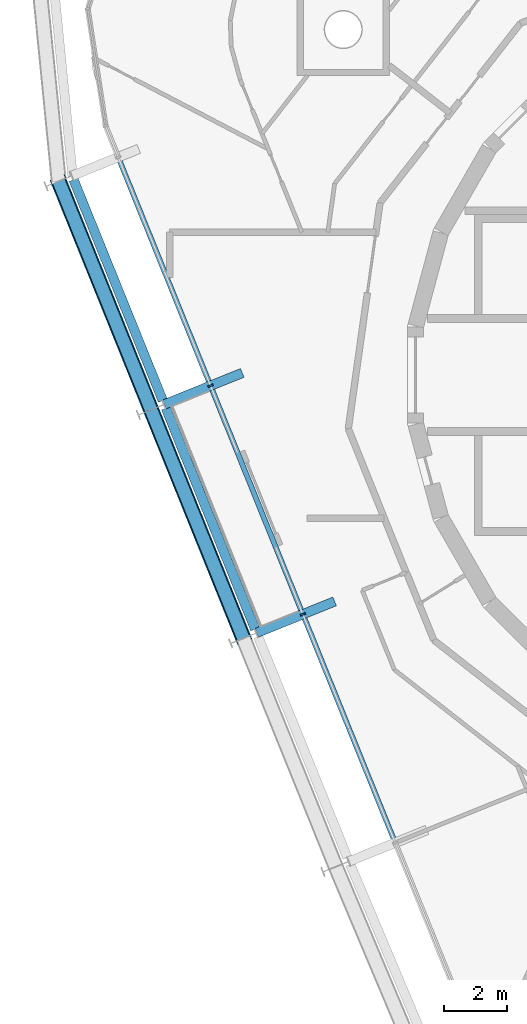
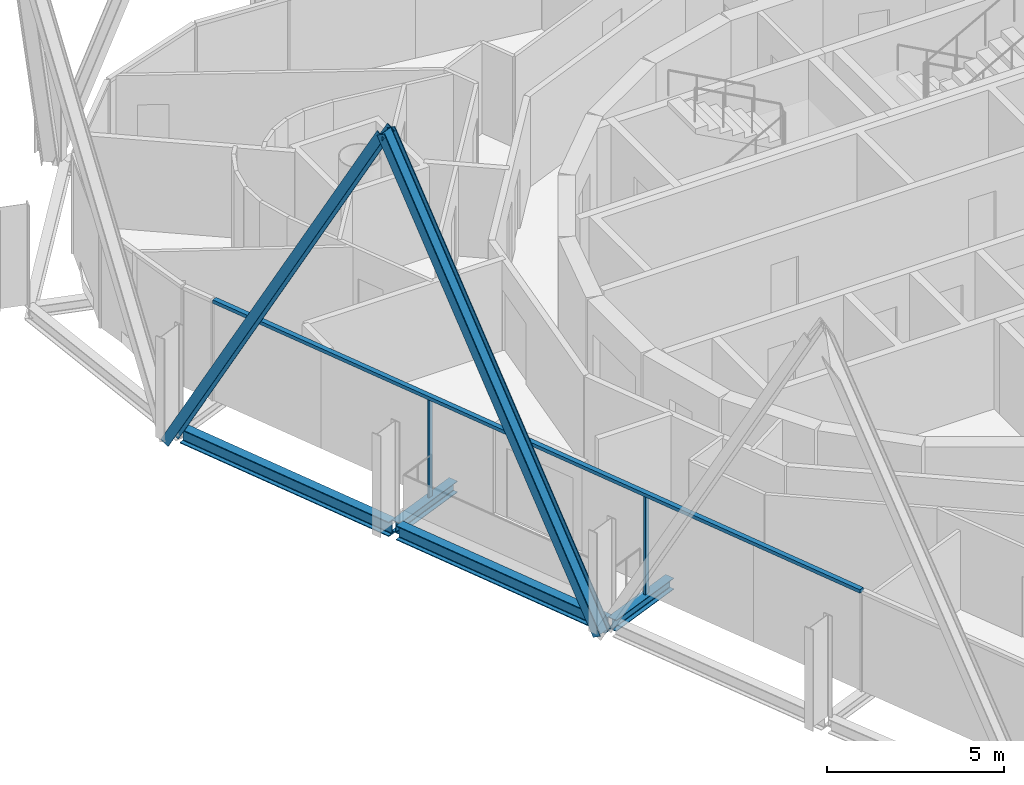
# One storey, part 3 of 15: 5 members, 4 beams, 1 element without a shape of its own.
"""IFC4 building model written with IfcOpenShell, lengths in metres."""

from ifc_helpers import new_model, si_unit, direction, frame, origin, origin_2d, place, context, subcontext, project, spatial, rectangle, i_section, extrude, material, layer, layer_set, material_profile, profile_set, type_object, element, aggregate, save


model = new_model("IFC4")

# Units and contexts
model_context = context("Model", 3, precision=1e-05, world=origin(), true_north=direction((0.0, 1.0)))
body_context = subcontext(model_context, "Body", "Model", "MODEL_VIEW")
ifc_project = project(units=[si_unit("LENGTHUNIT", "METRE"), si_unit("AREAUNIT", "SQUARE_METRE"), si_unit("VOLUMEUNIT", "CUBIC_METRE"), si_unit("PLANEANGLEUNIT", "RADIAN"), si_unit("MASSUNIT", "GRAM", prefix="KILO")], contexts=[model_context])

# Site, building, storey
site_placement = place(None, origin())
site = spatial("IfcSite", under=ifc_project, at=site_placement, CompositionType="ELEMENT")
building_placement = place(site_placement, origin())
building = spatial("IfcBuilding", under=site, at=building_placement, Name="Spindle Arch Residences", CompositionType="ELEMENT")
storey_placement = place(building_placement, frame((0.0, 0.0, 347.0)))
storey = spatial("IfcBuildingStorey", under=building, at=storey_placement, Name="L89", CompositionType="ELEMENT", Elevation=347.0)

# Curtain wall, members
ifc_material_1 = material(Name="Aluminium bronze unitised frame with tinted glass", Category="aluminium")
ifc_layer = layer(ifc_material_1, 0.159912109375)
ifc_layer_set = layer_set([ifc_layer], Name="CW-C typical residential unitised wall")
curtain_wall_type = type_object("IfcCurtainWallType", Name="CW-C typical residential unitised wall", PredefinedType="NOTDEFINED", material=ifc_layer_set)
curtain_wall_placement = place(storey_placement, origin())
curtain_wall = element("IfcCurtainWall", 1, at=curtain_wall_placement, inside=storey, type_object=curtain_wall_type, Name="CW-C L89 run 4", PredefinedType="NOTDEFINED")
ifc_material_2 = material(Name="Aluminium bronze anodised mullion", Category="aluminium")
ifc_material_profile_1 = material_profile(ifc_material_2, rectangle(XDim=0.159912109375, YDim=0.06005859375, at=origin_2d()), Name="MU 60x160")
ifc_profile_set_1 = profile_set([ifc_material_profile_1], Name="Aluminium bronze anodised mullion")
member_type_1 = type_object("IfcMemberType", Name="Bronze mullion 60x160", PredefinedType="MULLION", material=ifc_profile_set_1)
member_1_placement = place(storey_placement, frame((-18.110595703125, -0.337646484375, -0.3798828125), z_axis=(0.0, 0.0, 1.0), x_axis=(0.927183854567, 0.374606593416, 0.0)))
member_1 = element("IfcMember", 2, at=member_1_placement, type_object=member_type_1, Name="CW-C mullion 12", PredefinedType="MULLION", context=body_context, shape_type="SweptSolid", body=[
    extrude(rectangle(XDim=0.159912109375, YDim=0.06005859375, at=origin_2d()), origin(), (0.0, 0.0, 1.0), 3.3798828125),
])
member_2_placement = place(storey_placement, frame((-15.20166015625, -7.537841796875, -0.3798828125), z_axis=(0.0, 0.0, 1.0), x_axis=(0.927183854567, 0.374606593416, 0.0)))
member_2 = element("IfcMember", 3, at=member_2_placement, type_object=member_type_1, Name="CW-C mullion 13", PredefinedType="MULLION", context=body_context, shape_type="SweptSolid", body=[
    extrude(rectangle(XDim=0.159912109375, YDim=0.06005859375, at=origin_2d()), origin(), (0.0, 0.0, 1.0), 3.3798828125),
])
ifc_material_3 = material(Name="Aluminium bronze anodised transom", Category="aluminium")
ifc_material_profile_2 = material_profile(ifc_material_3, rectangle(XDim=0.159912109375, YDim=0.1201171875, at=origin_2d()), Name="TR 120x160")
ifc_profile_set_2 = profile_set([ifc_material_profile_2], Name="Aluminium bronze anodised transom")
member_type_2 = type_object("IfcMemberType", Name="Bronze transom 120x160", PredefinedType="USERDEFINED", material=ifc_profile_set_2)
member_3_placement = place(storey_placement, frame((-21.008544921875, 6.834716796875, 3.06005859375), z_axis=(0.374602019708, -0.927185702452, 0.0), x_axis=(0.927185702452, 0.374602019708, 0.0)))
member_3 = element("IfcMember", 4, at=member_3_placement, type_object=member_type_2, Name="CW-C transom 00", ObjectType="TRANSOM", PredefinedType="USERDEFINED", context=body_context, shape_type="SweptSolid", body=[
    extrude(rectangle(XDim=0.159912109375, YDim=0.1201171875, at=origin_2d()), origin(), (0.0, 0.0, 1.0), 23.23681640625),
])
aggregate(curtain_wall, [member_3, member_1, member_2])

# Members
ifc_material_4 = material(Name="Steel S460ML, intumescent coating R 240", Category="steel")
ifc_material_profile_3 = material_profile(ifc_material_4, i_section(OverallWidth=0.300048828125, OverallDepth=0.5, WebThickness=0.014404296875, FlangeThickness=0.028076171875, FilletRadius=0.027099609375, at=origin_2d()), Name="HEB 500")
ifc_profile_set_3 = profile_set([ifc_material_profile_3], Name="Steel S460ML, intumescent coating R 240")
member_type_3 = type_object("IfcMemberType", Name="Diagrid diagonal HEB 500", PredefinedType="BRACE", material=ifc_profile_set_3)
for number, where, z_axis, x_axis, name in (
    (5, (-22.892578125, 6.105712890625, -0.6298828125), (0.181700364246, -0.449744619584, 0.874479705189), (-0.327573066393, 0.810808633996, 0.48506210449), "Diagrid diagonal 9.2.12"),
    (6, (-17.07470703125, -8.29443359375, -0.6298828125), (-0.181701610426, 0.449732454307, 0.874485702749), (0.327584861985, -0.810810336953, 0.485051291812), "Diagrid diagonal 9.2.13"),
):
    element("IfcMember", number, at=place(storey_placement, frame(where, z_axis=z_axis, x_axis=x_axis)), inside=storey, type_object=member_type_3, Name=name, PredefinedType="BRACE", context=body_context, shape_type="SweptSolid", body=[
        extrude(i_section(OverallWidth=0.300048828125, OverallDepth=0.5, WebThickness=0.014404296875, FlangeThickness=0.028076171875, FilletRadius=0.027099609375, at=origin_2d()), origin(), (0.0, 0.0, 1.0), 16.009521484375),
    ])

# Beams
ifc_material_5 = material(Name="Steel S460ML, intumescent coating R 120", Category="steel")
ifc_material_profile_4 = material_profile(ifc_material_5, i_section(OverallWidth=0.300048828125, OverallDepth=0.5, WebThickness=0.014404296875, FlangeThickness=0.028076171875, FilletRadius=0.027099609375, at=origin_2d()), Name="HEB 500")
ifc_profile_set_4 = profile_set([ifc_material_profile_4], Name="Steel S460ML, intumescent coating R 120")
beam_type_1 = type_object("IfcBeamType", Name="Exoskeleton edge beam HEB 500", PredefinedType="BEAM", material=ifc_profile_set_4)
beam_1_placement = place(storey_placement, frame((-22.4267578125, 6.15380859375, -0.6298828125), z_axis=(0.374613092792, -0.927181228622, 0.0), x_axis=(0.927181228622, 0.374613092792, 0.0)))
element("IfcBeam", 7, at=beam_1_placement, inside=storey, type_object=beam_type_1, Name="Exoskeleton edge beam 12", PredefinedType="BEAM", context=body_context, shape_type="SweptSolid", body=[
    extrude(i_section(OverallWidth=0.300048828125, OverallDepth=0.5, WebThickness=0.014404296875, FlangeThickness=0.028076171875, FilletRadius=0.027099609375, at=origin_2d()), origin(), (0.0, 0.0, 1.0), 7.505859375),
])
beam_2_placement = place(storey_placement, frame((-19.517578125, -1.04638671875, -0.6298828125), z_axis=(0.374596427458, -0.927187961816, 0.0), x_axis=(0.927187961816, 0.374596427458, 0.0)))
element("IfcBeam", 8, at=beam_2_placement, inside=storey, type_object=beam_type_1, Name="Exoskeleton edge beam 13", PredefinedType="BEAM", context=body_context, shape_type="SweptSolid", body=[
    extrude(i_section(OverallWidth=0.300048828125, OverallDepth=0.5, WebThickness=0.014404296875, FlangeThickness=0.028076171875, FilletRadius=0.027099609375, at=origin_2d()), origin(), (0.0, 0.0, 1.0), 7.50537109375),
])
ifc_material_6 = material(Name="Steel S460ML, intumescent coating R 120", Category="steel")
ifc_material_profile_5 = material_profile(ifc_material_6, i_section(OverallWidth=0.300048828125, OverallDepth=0.389892578125, WebThickness=0.010986328125, FlangeThickness=0.01904296875, FilletRadius=0.027099609375, at=origin_2d()), Name="HEA 400")
ifc_profile_set_5 = profile_set([ifc_material_profile_5], Name="Steel S460ML, intumescent coating R 120")
beam_type_2 = type_object("IfcBeamType", Name="Floor outrigger HEA 400", PredefinedType="BEAM", material=ifc_profile_set_5)
beam_3_placement = place(storey_placement, frame((-19.56640625, -0.92578125, -0.574951171875), z_axis=(0.927187692393, 0.374597094323, 0.0), x_axis=(-0.374597094323, 0.927187692393, 0.0)))
element("IfcBeam", 9, at=beam_3_placement, inside=storey, type_object=beam_type_2, Name="Floor outrigger 13", PredefinedType="BEAM", context=body_context, shape_type="SweptSolid", body=[
    extrude(i_section(OverallWidth=0.300048828125, OverallDepth=0.389892578125, WebThickness=0.010986328125, FlangeThickness=0.01904296875, FilletRadius=0.027099609375, at=origin_2d()), origin(), (0.0, 0.0, 1.0), 2.64990234375),
])
beam_4_placement = place(storey_placement, frame((-16.657470703125, -8.1259765625, -0.574951171875), z_axis=(0.927200618573, 0.374565098372, 0.0), x_axis=(-0.374565098372, 0.927200618573, 0.0)))
element("IfcBeam", 10, at=beam_4_placement, inside=storey, type_object=beam_type_2, Name="Floor outrigger 14", PredefinedType="BEAM", context=body_context, shape_type="SweptSolid", body=[
    extrude(i_section(OverallWidth=0.300048828125, OverallDepth=0.389892578125, WebThickness=0.010986328125, FlangeThickness=0.01904296875, FilletRadius=0.027099609375, at=origin_2d()), origin(), (0.0, 0.0, 1.0), 2.650146484375),
])

save(model, "model.ifc")
